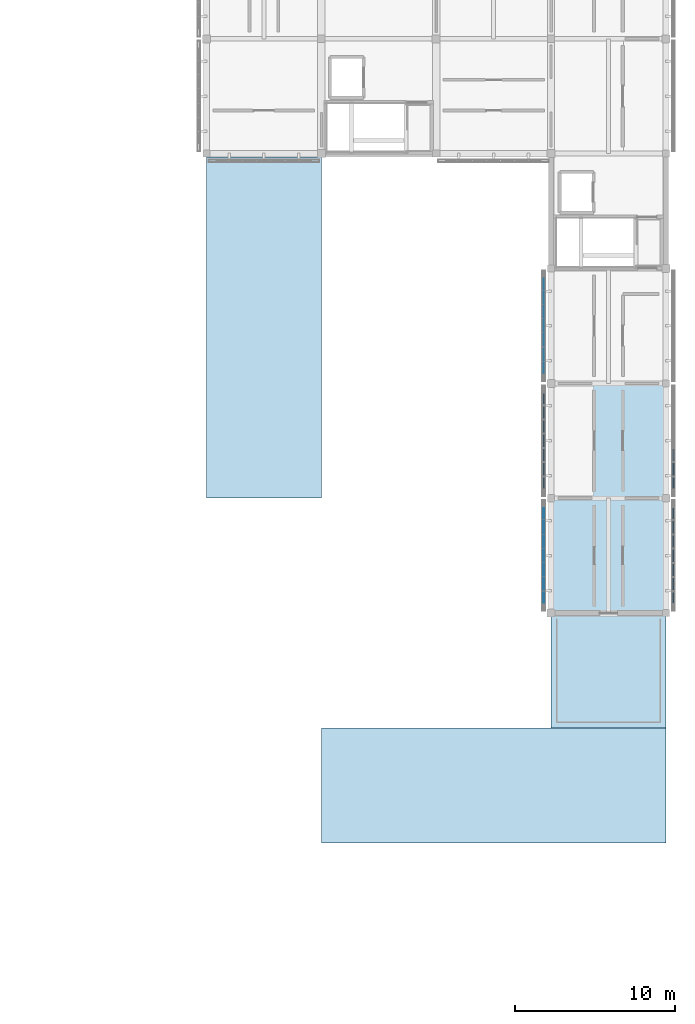
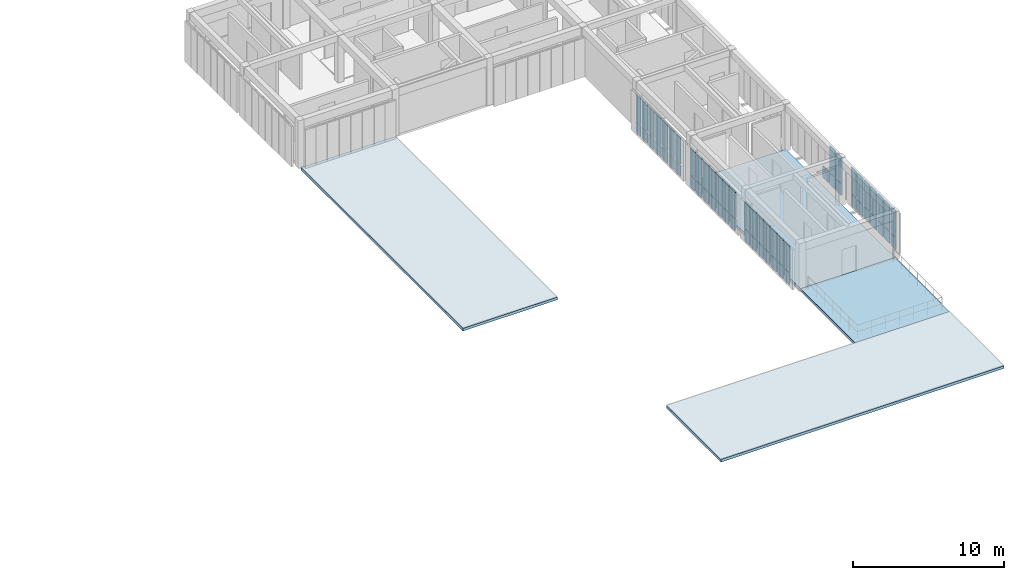
# One storey, part 20 of 33: 61 plates, 4 slabs, 5 elements without a shape of their own.
"""IFC4 building model written with IfcOpenShell, lengths in metres."""

from ifc_helpers import new_model, si_unit, direction, frame, origin, origin_2d, place, context, subcontext, project, spatial, polyline, rectangle, outline, extrude, material, layer, layer_set, type_object, element, aggregate, save


model = new_model("IFC4")

# Units and contexts
model_context = context("Model", 3, precision=1e-05, world=origin(), true_north=direction((0.0, 1.0)))
body_context = subcontext(model_context, "Body", "Model", "MODEL_VIEW")
ifc_project = project(units=[si_unit("LENGTHUNIT", "METRE"), si_unit("AREAUNIT", "SQUARE_METRE"), si_unit("VOLUMEUNIT", "CUBIC_METRE"), si_unit("PLANEANGLEUNIT", "RADIAN"), si_unit("MASSUNIT", "GRAM", prefix="KILO")], contexts=[model_context])

# Site, building, storey
site_placement = place(None, origin())
site = spatial("IfcSite", under=ifc_project, at=site_placement, CompositionType="ELEMENT")
building_placement = place(site_placement, origin())
building = spatial("IfcBuilding", under=site, at=building_placement, Name="Aldebral Square Health Centre", CompositionType="ELEMENT")
storey_placement = place(building_placement, frame((0.0, 0.0, 17.550048828125)))
storey = spatial("IfcBuildingStorey", under=building, at=storey_placement, Name="L04", CompositionType="ELEMENT", Elevation=17.550048828125)

# Curtain wall, plates
ifc_material_1 = material(Name="Aluminium and low-E solar glass", Category="aluminium")
curtain_wall_type = type_object("IfcCurtainWallType", Name="CW-FIN-SYS", PredefinedType="USERDEFINED", material=ifc_material_1)
curtain_wall_1_placement = place(storey_placement, origin())
curtain_wall_1 = element("IfcCurtainWall", 1, at=curtain_wall_1_placement, inside=storey, type_object=curtain_wall_type, Name="L04 V5 finned curtain wall L04-V5-22-12-W", ObjectType="SOLAR_CURTAIN_WALL", PredefinedType="USERDEFINED")
ifc_material_2 = material(Name="Solar-control low-E double glass", Category="glass")
ifc_layer_1 = layer(ifc_material_2, 0.02001953125, Name="Solar-control low-E double glass", Category="glass")
ifc_layer_set_1 = layer_set([ifc_layer_1], Name="Solar-control low-E double glass")
plate_type_1 = type_object("IfcPlateType", Name="CWP-GLZ-1", PredefinedType="CURTAIN_PANEL", material=ifc_layer_set_1)
plate_1_placement = place(storey_placement, frame((157.93994140625, 92.63427734375, 0.074951171875), z_axis=(0.0, 0.0, 1.0), x_axis=(0.0, -1.0, 0.0)))
plate_1 = element("IfcPlate", 2, at=plate_1_placement, type_object=plate_type_1, Name="CW1 panel 1.1", PredefinedType="CURTAIN_PANEL", context=body_context, shape_type="SweptSolid", body=[
    extrude(rectangle(XDim=0.6513671875, YDim=0.02001953125, at=origin_2d()), origin(), (0.0, 0.0, 1.0), 0.9375),
])
plate_2_placement = place(storey_placement, frame((157.93994140625, 92.63427734375, 1.08740234375), z_axis=(0.0, 0.0, 1.0), x_axis=(0.0, -1.0, 0.0)))
plate_2 = element("IfcPlate", 3, at=plate_2_placement, type_object=plate_type_1, Name="CW1 panel 1.2", PredefinedType="CURTAIN_PANEL", context=body_context, shape_type="SweptSolid", body=[
    extrude(rectangle(XDim=0.6513671875, YDim=0.02001953125, at=origin_2d()), origin(), (0.0, 0.0, 1.0), 2.08740234375),
])
plate_3_placement = place(storey_placement, frame((157.93994140625, 91.782958984375, 0.074951171875), z_axis=(0.0, 0.0, 1.0), x_axis=(0.0, -1.0, 0.0)))
plate_3 = element("IfcPlate", 4, at=plate_3_placement, type_object=plate_type_1, Name="CW1 panel 2.1", PredefinedType="CURTAIN_PANEL", context=body_context, shape_type="SweptSolid", body=[
    extrude(rectangle(XDim=0.7314453125, YDim=0.02001953125, at=origin_2d()), origin(), (0.0, 0.0, 1.0), 0.9375),
])
plate_4_placement = place(storey_placement, frame((157.93994140625, 91.782958984375, 1.08740234375), z_axis=(0.0, 0.0, 1.0), x_axis=(0.0, -1.0, 0.0)))
plate_4 = element("IfcPlate", 5, at=plate_4_placement, type_object=plate_type_1, Name="CW1 panel 2.2", PredefinedType="CURTAIN_PANEL", context=body_context, shape_type="SweptSolid", body=[
    extrude(rectangle(XDim=0.7314453125, YDim=0.02001953125, at=origin_2d()), origin(), (0.0, 0.0, 1.0), 2.08740234375),
])
plate_5_placement = place(storey_placement, frame((157.93994140625, 90.891357421875, 0.074951171875), z_axis=(0.0, 0.0, 1.0), x_axis=(0.0, -1.0, 0.0)))
plate_5 = element("IfcPlate", 6, at=plate_5_placement, type_object=plate_type_1, Name="CW1 panel 3.1", PredefinedType="CURTAIN_PANEL", context=body_context, shape_type="SweptSolid", body=[
    extrude(rectangle(XDim=0.7314453125, YDim=0.02001953125, at=origin_2d()), origin(), (0.0, 0.0, 1.0), 0.9375),
])
plate_6_placement = place(storey_placement, frame((157.93994140625, 90.891357421875, 1.08740234375), z_axis=(0.0, 0.0, 1.0), x_axis=(0.0, -1.0, 0.0)))
plate_6 = element("IfcPlate", 7, at=plate_6_placement, type_object=plate_type_1, Name="CW1 panel 3.2", PredefinedType="CURTAIN_PANEL", context=body_context, shape_type="SweptSolid", body=[
    extrude(rectangle(XDim=0.7314453125, YDim=0.02001953125, at=origin_2d()), origin(), (0.0, 0.0, 1.0), 2.08740234375),
])
plate_7_placement = place(storey_placement, frame((157.93994140625, 90.0, 0.074951171875), z_axis=(0.0, 0.0, 1.0), x_axis=(0.0, -1.0, 0.0)))
plate_7 = element("IfcPlate", 8, at=plate_7_placement, type_object=plate_type_1, Name="CW1 panel 4.1", PredefinedType="CURTAIN_PANEL", context=body_context, shape_type="SweptSolid", body=[
    extrude(rectangle(XDim=0.7314453125, YDim=0.02001953125, at=origin_2d()), origin(), (0.0, 0.0, 1.0), 0.9375),
])
plate_8_placement = place(storey_placement, frame((157.93994140625, 90.0, 1.08740234375), z_axis=(0.0, 0.0, 1.0), x_axis=(0.0, -1.0, 0.0)))
plate_8 = element("IfcPlate", 9, at=plate_8_placement, type_object=plate_type_1, Name="CW1 panel 4.2", PredefinedType="CURTAIN_PANEL", context=body_context, shape_type="SweptSolid", body=[
    extrude(rectangle(XDim=0.7314453125, YDim=0.02001953125, at=origin_2d()), origin(), (0.0, 0.0, 1.0), 2.08740234375),
])
plate_9_placement = place(storey_placement, frame((157.93994140625, 89.108642578125, 0.074951171875), z_axis=(0.0, 0.0, 1.0), x_axis=(0.0, -1.0, 0.0)))
plate_9 = element("IfcPlate", 10, at=plate_9_placement, type_object=plate_type_1, Name="CW1 panel 5.1", PredefinedType="CURTAIN_PANEL", context=body_context, shape_type="SweptSolid", body=[
    extrude(rectangle(XDim=0.7314453125, YDim=0.02001953125, at=origin_2d()), origin(), (0.0, 0.0, 1.0), 0.9375),
])
plate_10_placement = place(storey_placement, frame((157.93994140625, 89.108642578125, 1.08740234375), z_axis=(0.0, 0.0, 1.0), x_axis=(0.0, -1.0, 0.0)))
plate_10 = element("IfcPlate", 11, at=plate_10_placement, type_object=plate_type_1, Name="CW1 panel 5.2", PredefinedType="CURTAIN_PANEL", context=body_context, shape_type="SweptSolid", body=[
    extrude(rectangle(XDim=0.7314453125, YDim=0.02001953125, at=origin_2d()), origin(), (0.0, 0.0, 1.0), 2.08740234375),
])
plate_11_placement = place(storey_placement, frame((157.93994140625, 88.217041015625, 0.074951171875), z_axis=(0.0, 0.0, 1.0), x_axis=(0.0, -1.0, 0.0)))
plate_11 = element("IfcPlate", 12, at=plate_11_placement, type_object=plate_type_1, Name="CW1 panel 6.1", PredefinedType="CURTAIN_PANEL", context=body_context, shape_type="SweptSolid", body=[
    extrude(rectangle(XDim=0.7314453125, YDim=0.02001953125, at=origin_2d()), origin(), (0.0, 0.0, 1.0), 0.9375),
])
plate_12_placement = place(storey_placement, frame((157.93994140625, 88.217041015625, 1.08740234375), z_axis=(0.0, 0.0, 1.0), x_axis=(0.0, -1.0, 0.0)))
plate_12 = element("IfcPlate", 13, at=plate_12_placement, type_object=plate_type_1, Name="CW1 panel 6.2", PredefinedType="CURTAIN_PANEL", context=body_context, shape_type="SweptSolid", body=[
    extrude(rectangle(XDim=0.7314453125, YDim=0.02001953125, at=origin_2d()), origin(), (0.0, 0.0, 1.0), 2.08740234375),
])
plate_13_placement = place(storey_placement, frame((157.93994140625, 87.36572265625, 0.074951171875), z_axis=(0.0, 0.0, 1.0), x_axis=(0.0, -1.0, 0.0)))
plate_13 = element("IfcPlate", 14, at=plate_13_placement, type_object=plate_type_1, Name="CW1 panel 7.1", PredefinedType="CURTAIN_PANEL", context=body_context, shape_type="SweptSolid", body=[
    extrude(rectangle(XDim=0.6513671875, YDim=0.02001953125, at=origin_2d()), origin(), (0.0, 0.0, 1.0), 0.9375),
])
plate_14_placement = place(storey_placement, frame((157.93994140625, 87.36572265625, 1.08740234375), z_axis=(0.0, 0.0, 1.0), x_axis=(0.0, -1.0, 0.0)))
plate_14 = element("IfcPlate", 15, at=plate_14_placement, type_object=plate_type_1, Name="CW1 panel 7.2", PredefinedType="CURTAIN_PANEL", context=body_context, shape_type="SweptSolid", body=[
    extrude(rectangle(XDim=0.6513671875, YDim=0.02001953125, at=origin_2d()), origin(), (0.0, 0.0, 1.0), 2.08740234375),
])
aggregate(curtain_wall_1, [plate_1, plate_2, plate_3, plate_4, plate_5, plate_6, plate_7, plate_8, plate_9, plate_10, plate_11, plate_12, plate_13, plate_14])

curtain_wall_2_placement = place(storey_placement, origin())
curtain_wall_2 = element("IfcCurtainWall", 16, at=curtain_wall_2_placement, inside=storey, type_object=curtain_wall_type, Name="L04 V5 finned curtain wall L04-V5-22-10-W", ObjectType="SOLAR_CURTAIN_WALL", PredefinedType="USERDEFINED")
ifc_layer_2 = layer(ifc_material_2, 0.06005859375, Name="Solar-control low-E double glass", Category="glass")
ifc_layer_set_2 = layer_set([ifc_layer_2], Name="Solar-control low-E double glass")
plate_type_2 = type_object("IfcPlateType", Name="CWP-GLZ-5", PredefinedType="CURTAIN_PANEL", material=ifc_layer_set_2)
plate_15_placement = place(storey_placement, frame((157.93994140625, 78.234375, 0.074951171875), z_axis=(0.0, 0.0, 1.0), x_axis=(0.0, -1.0, 0.0)))
plate_15 = element("IfcPlate", 17, at=plate_15_placement, type_object=plate_type_2, Name="CW1 panel 1.1", PredefinedType="CURTAIN_PANEL", context=body_context, shape_type="SweptSolid", body=[
    extrude(rectangle(XDim=0.6513671875, YDim=0.06005859375, at=origin_2d()), origin(), (0.0, 0.0, 1.0), 0.9375),
])
plate_16_placement = place(storey_placement, frame((157.93994140625, 78.234375, 1.08740234375), z_axis=(0.0, 0.0, 1.0), x_axis=(0.0, -1.0, 0.0)))
plate_16 = element("IfcPlate", 18, at=plate_16_placement, type_object=plate_type_2, Name="CW1 panel 1.2", PredefinedType="CURTAIN_PANEL", context=body_context, shape_type="SweptSolid", body=[
    extrude(rectangle(XDim=0.6513671875, YDim=0.06005859375, at=origin_2d()), origin(), (0.0, 0.0, 1.0), 2.08740234375),
])
plate_17_placement = place(storey_placement, frame((157.93994140625, 77.3828125, 0.074951171875), z_axis=(0.0, 0.0, 1.0), x_axis=(0.0, -1.0, 0.0)))
plate_17 = element("IfcPlate", 19, at=plate_17_placement, type_object=plate_type_2, Name="CW1 panel 2.1", PredefinedType="CURTAIN_PANEL", context=body_context, shape_type="SweptSolid", body=[
    extrude(rectangle(XDim=0.7314453125, YDim=0.06005859375, at=origin_2d()), origin(), (0.0, 0.0, 1.0), 0.9375),
])
plate_18_placement = place(storey_placement, frame((157.93994140625, 77.3828125, 1.08740234375), z_axis=(0.0, 0.0, 1.0), x_axis=(0.0, -1.0, 0.0)))
plate_18 = element("IfcPlate", 20, at=plate_18_placement, type_object=plate_type_2, Name="CW1 panel 2.2", PredefinedType="CURTAIN_PANEL", context=body_context, shape_type="SweptSolid", body=[
    extrude(rectangle(XDim=0.7314453125, YDim=0.06005859375, at=origin_2d()), origin(), (0.0, 0.0, 1.0), 2.08740234375),
])
plate_19_placement = place(storey_placement, frame((157.93994140625, 76.491455078125, 0.074951171875), z_axis=(0.0, 0.0, 1.0), x_axis=(0.0, -1.0, 0.0)))
plate_19 = element("IfcPlate", 21, at=plate_19_placement, type_object=plate_type_2, Name="CW1 panel 3.1", PredefinedType="CURTAIN_PANEL", context=body_context, shape_type="SweptSolid", body=[
    extrude(rectangle(XDim=0.7314453125, YDim=0.06005859375, at=origin_2d()), origin(), (0.0, 0.0, 1.0), 0.9375),
])
plate_20_placement = place(storey_placement, frame((157.93994140625, 76.491455078125, 1.08740234375), z_axis=(0.0, 0.0, 1.0), x_axis=(0.0, -1.0, 0.0)))
plate_20 = element("IfcPlate", 22, at=plate_20_placement, type_object=plate_type_2, Name="CW1 panel 3.2", PredefinedType="CURTAIN_PANEL", context=body_context, shape_type="SweptSolid", body=[
    extrude(rectangle(XDim=0.7314453125, YDim=0.06005859375, at=origin_2d()), origin(), (0.0, 0.0, 1.0), 2.08740234375),
])
plate_21_placement = place(storey_placement, frame((157.93994140625, 75.60009765625, 0.074951171875), z_axis=(0.0, 0.0, 1.0), x_axis=(0.0, -1.0, 0.0)))
plate_21 = element("IfcPlate", 23, at=plate_21_placement, type_object=plate_type_2, Name="CW1 panel 4.1", PredefinedType="CURTAIN_PANEL", context=body_context, shape_type="SweptSolid", body=[
    extrude(rectangle(XDim=0.7314453125, YDim=0.06005859375, at=origin_2d()), origin(), (0.0, 0.0, 1.0), 0.9375),
])
plate_22_placement = place(storey_placement, frame((157.93994140625, 75.60009765625, 1.08740234375), z_axis=(0.0, 0.0, 1.0), x_axis=(0.0, -1.0, 0.0)))
plate_22 = element("IfcPlate", 24, at=plate_22_placement, type_object=plate_type_2, Name="CW1 panel 4.2", PredefinedType="CURTAIN_PANEL", context=body_context, shape_type="SweptSolid", body=[
    extrude(rectangle(XDim=0.7314453125, YDim=0.06005859375, at=origin_2d()), origin(), (0.0, 0.0, 1.0), 2.08740234375),
])
plate_23_placement = place(storey_placement, frame((157.93994140625, 74.70849609375, 0.074951171875), z_axis=(0.0, 0.0, 1.0), x_axis=(0.0, -1.0, 0.0)))
plate_23 = element("IfcPlate", 25, at=plate_23_placement, type_object=plate_type_2, Name="CW1 panel 5.1", PredefinedType="CURTAIN_PANEL", context=body_context, shape_type="SweptSolid", body=[
    extrude(rectangle(XDim=0.7314453125, YDim=0.06005859375, at=origin_2d()), origin(), (0.0, 0.0, 1.0), 0.9375),
])
plate_24_placement = place(storey_placement, frame((157.93994140625, 74.70849609375, 1.08740234375), z_axis=(0.0, 0.0, 1.0), x_axis=(0.0, -1.0, 0.0)))
plate_24 = element("IfcPlate", 26, at=plate_24_placement, type_object=plate_type_2, Name="CW1 panel 5.2", PredefinedType="CURTAIN_PANEL", context=body_context, shape_type="SweptSolid", body=[
    extrude(rectangle(XDim=0.7314453125, YDim=0.06005859375, at=origin_2d()), origin(), (0.0, 0.0, 1.0), 2.08740234375),
])
plate_25_placement = place(storey_placement, frame((157.93994140625, 73.817138671875, 0.074951171875), z_axis=(0.0, 0.0, 1.0), x_axis=(0.0, -1.0, 0.0)))
plate_25 = element("IfcPlate", 27, at=plate_25_placement, type_object=plate_type_2, Name="CW1 panel 6.1", PredefinedType="CURTAIN_PANEL", context=body_context, shape_type="SweptSolid", body=[
    extrude(rectangle(XDim=0.7314453125, YDim=0.06005859375, at=origin_2d()), origin(), (0.0, 0.0, 1.0), 0.9375),
])
plate_26_placement = place(storey_placement, frame((157.93994140625, 73.817138671875, 1.08740234375), z_axis=(0.0, 0.0, 1.0), x_axis=(0.0, -1.0, 0.0)))
plate_26 = element("IfcPlate", 28, at=plate_26_placement, type_object=plate_type_2, Name="CW1 panel 6.2", PredefinedType="CURTAIN_PANEL", context=body_context, shape_type="SweptSolid", body=[
    extrude(rectangle(XDim=0.7314453125, YDim=0.06005859375, at=origin_2d()), origin(), (0.0, 0.0, 1.0), 2.08740234375),
])
plate_27_placement = place(storey_placement, frame((157.93994140625, 72.9658203125, 0.074951171875), z_axis=(0.0, 0.0, 1.0), x_axis=(0.0, -1.0, 0.0)))
plate_27 = element("IfcPlate", 29, at=plate_27_placement, type_object=plate_type_2, Name="CW1 panel 7.1", PredefinedType="CURTAIN_PANEL", context=body_context, shape_type="SweptSolid", body=[
    extrude(rectangle(XDim=0.6513671875, YDim=0.06005859375, at=origin_2d()), origin(), (0.0, 0.0, 1.0), 0.9375),
])
plate_28_placement = place(storey_placement, frame((157.93994140625, 72.9658203125, 1.08740234375), z_axis=(0.0, 0.0, 1.0), x_axis=(0.0, -1.0, 0.0)))
plate_28 = element("IfcPlate", 30, at=plate_28_placement, type_object=plate_type_2, Name="CW1 panel 7.2", PredefinedType="CURTAIN_PANEL", context=body_context, shape_type="SweptSolid", body=[
    extrude(rectangle(XDim=0.6513671875, YDim=0.06005859375, at=origin_2d()), origin(), (0.0, 0.0, 1.0), 2.08740234375),
])
aggregate(curtain_wall_2, [plate_15, plate_16, plate_17, plate_18, plate_19, plate_20, plate_21, plate_22, plate_23, plate_24, plate_25, plate_26, plate_27, plate_28])

curtain_wall_3_placement = place(storey_placement, origin())
curtain_wall_3 = element("IfcCurtainWall", 31, at=curtain_wall_3_placement, inside=storey, type_object=curtain_wall_type, Name="L04 V5 finned curtain wall L04-V5-22-10-E", ObjectType="SOLAR_CURTAIN_WALL", PredefinedType="USERDEFINED")
ifc_layer_3 = layer(ifc_material_2, 0.070068359375, Name="Solar-control low-E double glass", Category="glass")
ifc_layer_set_3 = layer_set([ifc_layer_3], Name="Solar-control low-E double glass")
plate_type_3 = type_object("IfcPlateType", Name="CWP-GLZ-6", PredefinedType="CURTAIN_PANEL", material=ifc_layer_set_3)
plate_29_placement = place(storey_placement, frame((166.06005859375, 72.9658203125, 0.074951171875), z_axis=(0.0, 0.0, 1.0), x_axis=(0.0, 1.0, 0.0)))
plate_29 = element("IfcPlate", 32, at=plate_29_placement, type_object=plate_type_3, Name="CW1 panel 1.1", PredefinedType="CURTAIN_PANEL", context=body_context, shape_type="SweptSolid", body=[
    extrude(rectangle(XDim=0.6513671875, YDim=0.070068359375, at=origin_2d()), origin(), (0.0, 0.0, 1.0), 0.9375),
])
plate_30_placement = place(storey_placement, frame((166.06005859375, 72.9658203125, 1.08740234375), z_axis=(0.0, 0.0, 1.0), x_axis=(0.0, 1.0, 0.0)))
plate_30 = element("IfcPlate", 33, at=plate_30_placement, type_object=plate_type_3, Name="CW1 panel 1.2", PredefinedType="CURTAIN_PANEL", context=body_context, shape_type="SweptSolid", body=[
    extrude(rectangle(XDim=0.6513671875, YDim=0.070068359375, at=origin_2d()), origin(), (0.0, 0.0, 1.0), 2.08740234375),
])
plate_31_placement = place(storey_placement, frame((166.06005859375, 73.817138671875, 0.074951171875), z_axis=(0.0, 0.0, 1.0), x_axis=(0.0, 1.0, 0.0)))
plate_31 = element("IfcPlate", 34, at=plate_31_placement, type_object=plate_type_3, Name="CW1 panel 2.1", PredefinedType="CURTAIN_PANEL", context=body_context, shape_type="SweptSolid", body=[
    extrude(rectangle(XDim=0.7314453125, YDim=0.070068359375, at=origin_2d()), origin(), (0.0, 0.0, 1.0), 0.9375),
])
plate_32_placement = place(storey_placement, frame((166.06005859375, 73.817138671875, 1.08740234375), z_axis=(0.0, 0.0, 1.0), x_axis=(0.0, 1.0, 0.0)))
plate_32 = element("IfcPlate", 35, at=plate_32_placement, type_object=plate_type_3, Name="CW1 panel 2.2", PredefinedType="CURTAIN_PANEL", context=body_context, shape_type="SweptSolid", body=[
    extrude(rectangle(XDim=0.7314453125, YDim=0.070068359375, at=origin_2d()), origin(), (0.0, 0.0, 1.0), 2.08740234375),
])
plate_33_placement = place(storey_placement, frame((166.06005859375, 74.70849609375, 0.074951171875), z_axis=(0.0, 0.0, 1.0), x_axis=(0.0, 1.0, 0.0)))
plate_33 = element("IfcPlate", 36, at=plate_33_placement, type_object=plate_type_3, Name="CW1 panel 3.1", PredefinedType="CURTAIN_PANEL", context=body_context, shape_type="SweptSolid", body=[
    extrude(rectangle(XDim=0.7314453125, YDim=0.070068359375, at=origin_2d()), origin(), (0.0, 0.0, 1.0), 0.9375),
])
plate_34_placement = place(storey_placement, frame((166.06005859375, 74.70849609375, 1.08740234375), z_axis=(0.0, 0.0, 1.0), x_axis=(0.0, 1.0, 0.0)))
plate_34 = element("IfcPlate", 37, at=plate_34_placement, type_object=plate_type_3, Name="CW1 panel 3.2", PredefinedType="CURTAIN_PANEL", context=body_context, shape_type="SweptSolid", body=[
    extrude(rectangle(XDim=0.7314453125, YDim=0.070068359375, at=origin_2d()), origin(), (0.0, 0.0, 1.0), 2.08740234375),
])
plate_35_placement = place(storey_placement, frame((166.06005859375, 75.60009765625, 0.074951171875), z_axis=(0.0, 0.0, 1.0), x_axis=(0.0, 1.0, 0.0)))
plate_35 = element("IfcPlate", 38, at=plate_35_placement, type_object=plate_type_3, Name="CW1 panel 4.1", PredefinedType="CURTAIN_PANEL", context=body_context, shape_type="SweptSolid", body=[
    extrude(rectangle(XDim=0.7314453125, YDim=0.070068359375, at=origin_2d()), origin(), (0.0, 0.0, 1.0), 0.9375),
])
plate_36_placement = place(storey_placement, frame((166.06005859375, 75.60009765625, 1.08740234375), z_axis=(0.0, 0.0, 1.0), x_axis=(0.0, 1.0, 0.0)))
plate_36 = element("IfcPlate", 39, at=plate_36_placement, type_object=plate_type_3, Name="CW1 panel 4.2", PredefinedType="CURTAIN_PANEL", context=body_context, shape_type="SweptSolid", body=[
    extrude(rectangle(XDim=0.7314453125, YDim=0.070068359375, at=origin_2d()), origin(), (0.0, 0.0, 1.0), 2.08740234375),
])
plate_37_placement = place(storey_placement, frame((166.06005859375, 76.491455078125, 0.074951171875), z_axis=(0.0, 0.0, 1.0), x_axis=(0.0, 1.0, 0.0)))
plate_37 = element("IfcPlate", 40, at=plate_37_placement, type_object=plate_type_3, Name="CW1 panel 5.1", PredefinedType="CURTAIN_PANEL", context=body_context, shape_type="SweptSolid", body=[
    extrude(rectangle(XDim=0.7314453125, YDim=0.070068359375, at=origin_2d()), origin(), (0.0, 0.0, 1.0), 0.9375),
])
plate_38_placement = place(storey_placement, frame((166.06005859375, 76.491455078125, 1.08740234375), z_axis=(0.0, 0.0, 1.0), x_axis=(0.0, 1.0, 0.0)))
plate_38 = element("IfcPlate", 41, at=plate_38_placement, type_object=plate_type_3, Name="CW1 panel 5.2", PredefinedType="CURTAIN_PANEL", context=body_context, shape_type="SweptSolid", body=[
    extrude(rectangle(XDim=0.7314453125, YDim=0.070068359375, at=origin_2d()), origin(), (0.0, 0.0, 1.0), 2.08740234375),
])
plate_39_placement = place(storey_placement, frame((166.06005859375, 77.3828125, 0.074951171875), z_axis=(0.0, 0.0, 1.0), x_axis=(0.0, 1.0, 0.0)))
plate_39 = element("IfcPlate", 42, at=plate_39_placement, type_object=plate_type_3, Name="CW1 panel 6.1", PredefinedType="CURTAIN_PANEL", context=body_context, shape_type="SweptSolid", body=[
    extrude(rectangle(XDim=0.7314453125, YDim=0.070068359375, at=origin_2d()), origin(), (0.0, 0.0, 1.0), 0.9375),
])
plate_40_placement = place(storey_placement, frame((166.06005859375, 77.3828125, 1.08740234375), z_axis=(0.0, 0.0, 1.0), x_axis=(0.0, 1.0, 0.0)))
plate_40 = element("IfcPlate", 43, at=plate_40_placement, type_object=plate_type_3, Name="CW1 panel 6.2", PredefinedType="CURTAIN_PANEL", context=body_context, shape_type="SweptSolid", body=[
    extrude(rectangle(XDim=0.7314453125, YDim=0.070068359375, at=origin_2d()), origin(), (0.0, 0.0, 1.0), 2.08740234375),
])
plate_41_placement = place(storey_placement, frame((166.06005859375, 78.234375, 0.074951171875), z_axis=(0.0, 0.0, 1.0), x_axis=(0.0, 1.0, 0.0)))
plate_41 = element("IfcPlate", 44, at=plate_41_placement, type_object=plate_type_3, Name="CW1 panel 7.1", PredefinedType="CURTAIN_PANEL", context=body_context, shape_type="SweptSolid", body=[
    extrude(rectangle(XDim=0.6513671875, YDim=0.070068359375, at=origin_2d()), origin(), (0.0, 0.0, 1.0), 0.9375),
])
plate_42_placement = place(storey_placement, frame((166.06005859375, 78.234375, 1.08740234375), z_axis=(0.0, 0.0, 1.0), x_axis=(0.0, 1.0, 0.0)))
plate_42 = element("IfcPlate", 45, at=plate_42_placement, type_object=plate_type_3, Name="CW1 panel 7.2", PredefinedType="CURTAIN_PANEL", context=body_context, shape_type="SweptSolid", body=[
    extrude(rectangle(XDim=0.6513671875, YDim=0.070068359375, at=origin_2d()), origin(), (0.0, 0.0, 1.0), 2.08740234375),
])
aggregate(curtain_wall_3, [plate_29, plate_30, plate_31, plate_32, plate_33, plate_34, plate_35, plate_36, plate_37, plate_38, plate_39, plate_40, plate_41, plate_42])

curtain_wall_4_placement = place(storey_placement, origin())
curtain_wall_4 = element("IfcCurtainWall", 46, at=curtain_wall_4_placement, inside=storey, type_object=curtain_wall_type, Name="L04 V5 finned curtain wall L04-V5-22-11-W", ObjectType="SOLAR_CURTAIN_WALL", PredefinedType="USERDEFINED")
ifc_layer_4 = layer(ifc_material_2, 0.080078125, Name="Solar-control low-E double glass", Category="glass")
ifc_layer_set_4 = layer_set([ifc_layer_4], Name="Solar-control low-E double glass")
plate_type_4 = type_object("IfcPlateType", Name="CWP-GLZ-7", PredefinedType="CURTAIN_PANEL", material=ifc_layer_set_4)
plate_43_placement = place(storey_placement, frame((157.93994140625, 85.434326171875, 0.074951171875), z_axis=(0.0, 0.0, 1.0), x_axis=(0.0, -1.0, 0.0)))
plate_43 = element("IfcPlate", 47, at=plate_43_placement, type_object=plate_type_4, Name="CW1 panel 1.1", PredefinedType="CURTAIN_PANEL", context=body_context, shape_type="SweptSolid", body=[
    extrude(rectangle(XDim=0.6513671875, YDim=0.080078125, at=origin_2d()), origin(), (0.0, 0.0, 1.0), 0.9375),
])
plate_44_placement = place(storey_placement, frame((157.93994140625, 85.434326171875, 1.08740234375), z_axis=(0.0, 0.0, 1.0), x_axis=(0.0, -1.0, 0.0)))
plate_44 = element("IfcPlate", 48, at=plate_44_placement, type_object=plate_type_4, Name="CW1 panel 1.2", PredefinedType="CURTAIN_PANEL", context=body_context, shape_type="SweptSolid", body=[
    extrude(rectangle(XDim=0.6513671875, YDim=0.080078125, at=origin_2d()), origin(), (0.0, 0.0, 1.0), 2.08740234375),
])
plate_45_placement = place(storey_placement, frame((157.93994140625, 84.582763671875, 0.074951171875), z_axis=(0.0, 0.0, 1.0), x_axis=(0.0, -1.0, 0.0)))
plate_45 = element("IfcPlate", 49, at=plate_45_placement, type_object=plate_type_4, Name="CW1 panel 2.1", PredefinedType="CURTAIN_PANEL", context=body_context, shape_type="SweptSolid", body=[
    extrude(rectangle(XDim=0.7314453125, YDim=0.080078125, at=origin_2d()), origin(), (0.0, 0.0, 1.0), 0.9375),
])
plate_46_placement = place(storey_placement, frame((157.93994140625, 84.582763671875, 1.08740234375), z_axis=(0.0, 0.0, 1.0), x_axis=(0.0, -1.0, 0.0)))
plate_46 = element("IfcPlate", 50, at=plate_46_placement, type_object=plate_type_4, Name="CW1 panel 2.2", PredefinedType="CURTAIN_PANEL", context=body_context, shape_type="SweptSolid", body=[
    extrude(rectangle(XDim=0.7314453125, YDim=0.080078125, at=origin_2d()), origin(), (0.0, 0.0, 1.0), 2.08740234375),
])
plate_47_placement = place(storey_placement, frame((157.93994140625, 83.69140625, 0.074951171875), z_axis=(0.0, 0.0, 1.0), x_axis=(0.0, -1.0, 0.0)))
plate_47 = element("IfcPlate", 51, at=plate_47_placement, type_object=plate_type_4, Name="CW1 panel 3.1", PredefinedType="CURTAIN_PANEL", context=body_context, shape_type="SweptSolid", body=[
    extrude(rectangle(XDim=0.7314453125, YDim=0.080078125, at=origin_2d()), origin(), (0.0, 0.0, 1.0), 0.9375),
])
plate_48_placement = place(storey_placement, frame((157.93994140625, 83.69140625, 1.08740234375), z_axis=(0.0, 0.0, 1.0), x_axis=(0.0, -1.0, 0.0)))
plate_48 = element("IfcPlate", 52, at=plate_48_placement, type_object=plate_type_4, Name="CW1 panel 3.2", PredefinedType="CURTAIN_PANEL", context=body_context, shape_type="SweptSolid", body=[
    extrude(rectangle(XDim=0.7314453125, YDim=0.080078125, at=origin_2d()), origin(), (0.0, 0.0, 1.0), 2.08740234375),
])
plate_49_placement = place(storey_placement, frame((157.93994140625, 82.800048828125, 0.074951171875), z_axis=(0.0, 0.0, 1.0), x_axis=(0.0, -1.0, 0.0)))
plate_49 = element("IfcPlate", 53, at=plate_49_placement, type_object=plate_type_4, Name="CW1 panel 4.1", PredefinedType="CURTAIN_PANEL", context=body_context, shape_type="SweptSolid", body=[
    extrude(rectangle(XDim=0.7314453125, YDim=0.080078125, at=origin_2d()), origin(), (0.0, 0.0, 1.0), 0.9375),
])
plate_50_placement = place(storey_placement, frame((157.93994140625, 82.800048828125, 1.08740234375), z_axis=(0.0, 0.0, 1.0), x_axis=(0.0, -1.0, 0.0)))
plate_50 = element("IfcPlate", 54, at=plate_50_placement, type_object=plate_type_4, Name="CW1 panel 4.2", PredefinedType="CURTAIN_PANEL", context=body_context, shape_type="SweptSolid", body=[
    extrude(rectangle(XDim=0.7314453125, YDim=0.080078125, at=origin_2d()), origin(), (0.0, 0.0, 1.0), 2.08740234375),
])
plate_51_placement = place(storey_placement, frame((157.93994140625, 81.90869140625, 0.074951171875), z_axis=(0.0, 0.0, 1.0), x_axis=(0.0, -1.0, 0.0)))
plate_51 = element("IfcPlate", 55, at=plate_51_placement, type_object=plate_type_4, Name="CW1 panel 5.1", PredefinedType="CURTAIN_PANEL", context=body_context, shape_type="SweptSolid", body=[
    extrude(rectangle(XDim=0.7314453125, YDim=0.080078125, at=origin_2d()), origin(), (0.0, 0.0, 1.0), 0.9375),
])
plate_52_placement = place(storey_placement, frame((157.93994140625, 81.90869140625, 1.08740234375), z_axis=(0.0, 0.0, 1.0), x_axis=(0.0, -1.0, 0.0)))
plate_52 = element("IfcPlate", 56, at=plate_52_placement, type_object=plate_type_4, Name="CW1 panel 5.2", PredefinedType="CURTAIN_PANEL", context=body_context, shape_type="SweptSolid", body=[
    extrude(rectangle(XDim=0.7314453125, YDim=0.080078125, at=origin_2d()), origin(), (0.0, 0.0, 1.0), 2.08740234375),
])
plate_53_placement = place(storey_placement, frame((157.93994140625, 81.01708984375, 0.074951171875), z_axis=(0.0, 0.0, 1.0), x_axis=(0.0, -1.0, 0.0)))
plate_53 = element("IfcPlate", 57, at=plate_53_placement, type_object=plate_type_4, Name="CW1 panel 6.1", PredefinedType="CURTAIN_PANEL", context=body_context, shape_type="SweptSolid", body=[
    extrude(rectangle(XDim=0.7314453125, YDim=0.080078125, at=origin_2d()), origin(), (0.0, 0.0, 1.0), 0.9375),
])
plate_54_placement = place(storey_placement, frame((157.93994140625, 81.01708984375, 1.08740234375), z_axis=(0.0, 0.0, 1.0), x_axis=(0.0, -1.0, 0.0)))
plate_54 = element("IfcPlate", 58, at=plate_54_placement, type_object=plate_type_4, Name="CW1 panel 6.2", PredefinedType="CURTAIN_PANEL", context=body_context, shape_type="SweptSolid", body=[
    extrude(rectangle(XDim=0.7314453125, YDim=0.080078125, at=origin_2d()), origin(), (0.0, 0.0, 1.0), 2.08740234375),
])
plate_55_placement = place(storey_placement, frame((157.93994140625, 80.165771484375, 0.074951171875), z_axis=(0.0, 0.0, 1.0), x_axis=(0.0, -1.0, 0.0)))
plate_55 = element("IfcPlate", 59, at=plate_55_placement, type_object=plate_type_4, Name="CW1 panel 7.1", PredefinedType="CURTAIN_PANEL", context=body_context, shape_type="SweptSolid", body=[
    extrude(rectangle(XDim=0.6513671875, YDim=0.080078125, at=origin_2d()), origin(), (0.0, 0.0, 1.0), 0.9375),
])
plate_56_placement = place(storey_placement, frame((157.93994140625, 80.165771484375, 1.08740234375), z_axis=(0.0, 0.0, 1.0), x_axis=(0.0, -1.0, 0.0)))
plate_56 = element("IfcPlate", 60, at=plate_56_placement, type_object=plate_type_4, Name="CW1 panel 7.2", PredefinedType="CURTAIN_PANEL", context=body_context, shape_type="SweptSolid", body=[
    extrude(rectangle(XDim=0.6513671875, YDim=0.080078125, at=origin_2d()), origin(), (0.0, 0.0, 1.0), 2.08740234375),
])
aggregate(curtain_wall_4, [plate_43, plate_44, plate_45, plate_46, plate_47, plate_48, plate_49, plate_50, plate_51, plate_52, plate_53, plate_54, plate_55, plate_56])

curtain_wall_5_placement = place(storey_placement, origin())
curtain_wall_5 = element("IfcCurtainWall", 61, at=curtain_wall_5_placement, inside=storey, type_object=curtain_wall_type, Name="L04 V5 finned curtain wall L04-V5-22-11-E", ObjectType="SOLAR_CURTAIN_WALL", PredefinedType="USERDEFINED")
ifc_layer_5 = layer(ifc_material_2, 0.090087890625, Name="Solar-control low-E double glass", Category="glass")
ifc_layer_set_5 = layer_set([ifc_layer_5], Name="Solar-control low-E double glass")
plate_type_5 = type_object("IfcPlateType", Name="CWP-GLZ-8", PredefinedType="CURTAIN_PANEL", material=ifc_layer_set_5)
plate_57_placement = place(storey_placement, frame((166.06005859375, 80.165771484375, 0.074951171875), z_axis=(0.0, 0.0, 1.0), x_axis=(0.0, 1.0, 0.0)))
plate_57 = element("IfcPlate", 62, at=plate_57_placement, type_object=plate_type_5, Name="CW1 panel 1.1", PredefinedType="CURTAIN_PANEL", context=body_context, shape_type="SweptSolid", body=[
    extrude(rectangle(XDim=0.6513671875, YDim=0.090087890625, at=origin_2d()), origin(), (0.0, 0.0, 1.0), 0.9375),
])
plate_58_placement = place(storey_placement, frame((166.06005859375, 80.165771484375, 1.08740234375), z_axis=(0.0, 0.0, 1.0), x_axis=(0.0, 1.0, 0.0)))
plate_58 = element("IfcPlate", 63, at=plate_58_placement, type_object=plate_type_5, Name="CW1 panel 1.2", PredefinedType="CURTAIN_PANEL", context=body_context, shape_type="SweptSolid", body=[
    extrude(rectangle(XDim=0.6513671875, YDim=0.090087890625, at=origin_2d()), origin(), (0.0, 0.0, 1.0), 2.08740234375),
])
plate_59_placement = place(storey_placement, frame((166.06005859375, 81.01708984375, 0.074951171875), z_axis=(0.0, 0.0, 1.0), x_axis=(0.0, 1.0, 0.0)))
plate_59 = element("IfcPlate", 64, at=plate_59_placement, type_object=plate_type_5, Name="CW1 panel 2.1", PredefinedType="CURTAIN_PANEL", context=body_context, shape_type="SweptSolid", body=[
    extrude(rectangle(XDim=0.7314453125, YDim=0.090087890625, at=origin_2d()), origin(), (0.0, 0.0, 1.0), 0.9375),
])
plate_60_placement = place(storey_placement, frame((166.06005859375, 81.01708984375, 1.08740234375), z_axis=(0.0, 0.0, 1.0), x_axis=(0.0, 1.0, 0.0)))
plate_60 = element("IfcPlate", 65, at=plate_60_placement, type_object=plate_type_5, Name="CW1 panel 2.2", PredefinedType="CURTAIN_PANEL", context=body_context, shape_type="SweptSolid", body=[
    extrude(rectangle(XDim=0.7314453125, YDim=0.090087890625, at=origin_2d()), origin(), (0.0, 0.0, 1.0), 2.08740234375),
])
plate_61_placement = place(storey_placement, frame((166.06005859375, 81.90869140625, 0.074951171875), z_axis=(0.0, 0.0, 1.0), x_axis=(0.0, 1.0, 0.0)))
plate_61 = element("IfcPlate", 66, at=plate_61_placement, type_object=plate_type_5, Name="CW1 panel 3.1", PredefinedType="CURTAIN_PANEL", context=body_context, shape_type="SweptSolid", body=[
    extrude(rectangle(XDim=0.7314453125, YDim=0.090087890625, at=origin_2d()), origin(), (0.0, 0.0, 1.0), 0.9375),
])
aggregate(curtain_wall_5, [plate_57, plate_58, plate_59, plate_60, plate_61])

# Slabs
ifc_material_3 = material(Name="Concrete C35/45", Category="concrete")
ifc_layer_6 = layer(ifc_material_3, 0.239990234375, Name="Concrete C35/45", Category="concrete")
ifc_layer_set_6 = layer_set([ifc_layer_6], Name="Concrete C35/45")
slab_type_1 = type_object("IfcSlabType", Name="SL-FLR-240", PredefinedType="FLOOR", material=ifc_layer_set_6)
slab_1_placement = place(storey_placement, frame((0.0, 0.0, -0.239990234375)))
element("IfcSlab", 67, at=slab_1_placement, inside=storey, type_object=slab_type_1, Name="L04 V5 floor slab 3", PredefinedType="FLOOR", context=body_context, shape_type="SweptSolid", body=[
    extrude(outline(polyline([(158.39990234375, 72.0), (158.39990234375, 79.199951171875), (158.39990234375, 86.39990234375), (165.60009765625, 86.39990234375), (165.60009765625, 79.199951171875), (165.60009765625, 72.0), (158.39990234375, 72.0)])), origin(), (0.0, 0.0, 1.0), 0.239990234375),
])
ifc_layer_7 = layer(ifc_material_3, 0.219970703125, Name="Concrete C35/45", Category="concrete")
ifc_layer_set_7 = layer_set([ifc_layer_7], Name="Concrete C35/45")
slab_type_2 = type_object("IfcSlabType", Name="SL-RF-220", PredefinedType="ROOF", material=ifc_layer_set_7)
slab_2_placement = place(storey_placement, frame((0.0, 0.0, -0.219970703125)))
element("IfcSlab", 68, at=slab_2_placement, inside=storey, type_object=slab_type_2, Name="L03 V5 roof slab 1", PredefinedType="ROOF", context=body_context, shape_type="SweptSolid", body=[
    extrude(outline(polyline([(151.199951171875, 64.800048828125), (158.39990234375, 64.800048828125), (165.60009765625, 64.800048828125), (165.60009765625, 57.60009765625), (158.39990234375, 57.60009765625), (151.199951171875, 57.60009765625), (144.0, 57.60009765625), (144.0, 64.800048828125), (151.199951171875, 64.800048828125)])), origin(), (0.0, 0.0, 1.0), 0.219970703125),
])
slab_3_placement = place(storey_placement, frame((0.0, 0.0, -0.219970703125)))
element("IfcSlab", 69, at=slab_3_placement, inside=storey, type_object=slab_type_2, Name="L03 V5 roof slab 2", PredefinedType="ROOF", context=body_context, shape_type="SweptSolid", body=[
    extrude(outline(polyline([(136.800048828125, 86.39990234375), (136.800048828125, 93.60009765625), (136.800048828125, 100.580078125), (144.0, 100.580078125), (144.0, 93.60009765625), (144.0, 86.39990234375), (144.0, 79.199951171875), (136.800048828125, 79.199951171875), (136.800048828125, 86.39990234375)])), origin(), (0.0, 0.0, 1.0), 0.219970703125),
])
ifc_layer_8 = layer(ifc_material_3, 0.22998046875, Name="Concrete C35/45", Category="concrete")
ifc_layer_set_8 = layer_set([ifc_layer_8], Name="Concrete C35/45")
slab_type_3 = type_object("IfcSlabType", Name="SL-TER-230", PredefinedType="FLOOR", material=ifc_layer_set_8)
slab_4_placement = place(storey_placement, frame((0.0, 0.0, -0.22998046875)))
element("IfcSlab", 70, at=slab_4_placement, inside=storey, type_object=slab_type_3, Name="L04 Mental Health Healing Terrace", PredefinedType="FLOOR", context=body_context, shape_type="SweptSolid", body=[
    extrude(outline(polyline([(165.60009765625, 64.800048828125), (165.60009765625, 72.0), (158.39990234375, 72.0), (158.39990234375, 64.800048828125), (165.60009765625, 64.800048828125)])), origin(), (0.0, 0.0, 1.0), 0.22998046875),
])

save(model, "model.ifc")
